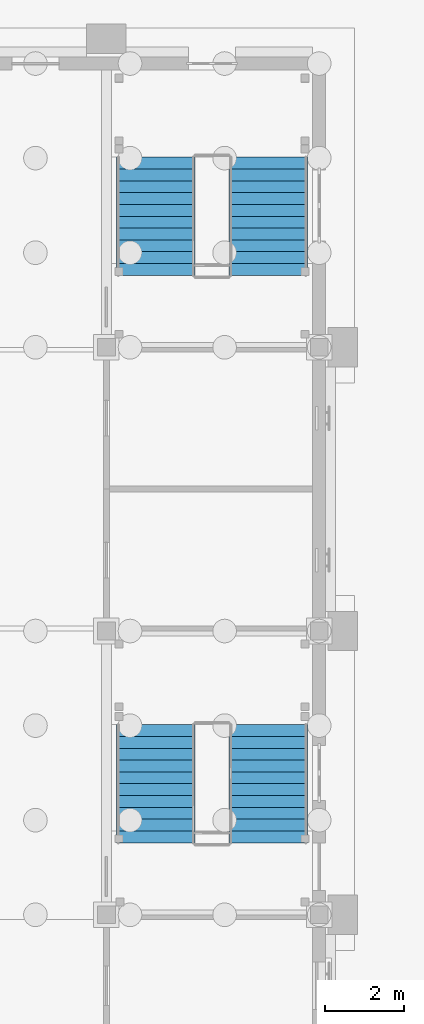
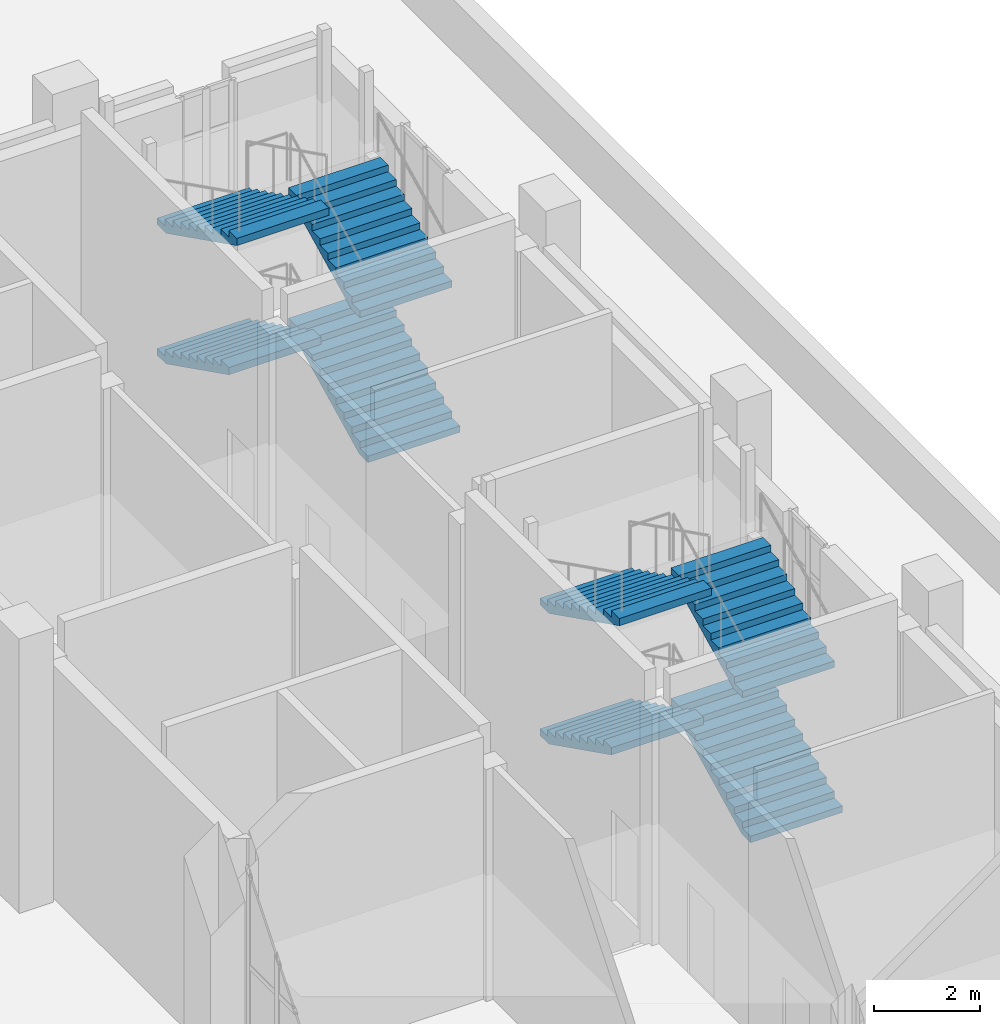
# One storey, part 65 of 84: 8 stair flights, 2 elements without a shape of their own.
"""IFC4 building model written with IfcOpenShell, lengths in metres."""

import ifcopenshell
import ifcopenshell.guid

model = None  # the IFC model being written
_history = None  # IfcOwnerHistory: only IFC2X3 demands one
_inside = {}  # id of a spatial element -> (the spatial element, [elements in it])
_under = {}  # id of a project, library or spatial element -> (it, [spatial elements below it])
_declared = {}  # id of a project -> (the project, [libraries it declares])
_typed = {}  # id of a type object -> (the type object, [elements of that type])
_made_of = {}  # id of a material, layer set ... -> (it, [elements and type objects made of it])


def new_model(schema):
    """Start an empty IFC model of exactly this schema.

    Asked for "IFC4X3", IfcOpenShell would pick the latest addendum, in which some entities
    have other attributes; the version numbers below select the first issue.
    IFC2X3 requires an IfcOwnerHistory on every rooted entity: one is made here for all.
    """
    global model, _history
    if schema == "IFC4X3":
        model = ifcopenshell.file(schema_version=(4, 3, 0, 0))
    else:
        model = ifcopenshell.file(schema=schema)
    _inside.clear()
    _under.clear()
    _declared.clear()
    _typed.clear()
    _made_of.clear()
    _history = None
    if model.schema == "IFC2X3":
        org = make("IfcOrganization", Name="unknown")
        user = make(
            "IfcPersonAndOrganization",
            ThePerson=make("IfcPerson", FamilyName="unknown"),
            TheOrganization=org,
        )
        app = make(
            "IfcApplication",
            ApplicationDeveloper=org,
            Version="unknown",
            ApplicationFullName="unknown",
            ApplicationIdentifier="unknown",
        )
        _history = make(
            "IfcOwnerHistory",
            OwningUser=user,
            OwningApplication=app,
            ChangeAction="ADDED",
            CreationDate=0,
        )
    return model


def make(cls, **values):
    """One entity of the class cls with the attributes given. An attribute that is None is left unset."""
    return model.create_entity(
        cls, **{name: value for name, value in values.items() if value is not None}
    )


def rooted(cls, **values):
    """An entity with a GlobalId (a new one), such as an element, a storey or a relation."""
    return make(cls, GlobalId=ifcopenshell.guid.new(), OwnerHistory=_history, **values)


def si_unit(unit_type, name, prefix=None):
    """IfcSIUnit, for example si_unit("LENGTHUNIT", "METRE", prefix="MILLI")."""
    return make("IfcSIUnit", UnitType=unit_type, Prefix=prefix, Name=name)


def assignment(units):
    """IfcUnitAssignment: the units of a project."""
    return None if units is None else make("IfcUnitAssignment", Units=units)


def point(xyz):
    """IfcCartesianPoint."""
    return None if xyz is None else make("IfcCartesianPoint", Coordinates=xyz)


def direction(xyz):
    """IfcDirection."""
    return None if xyz is None else make("IfcDirection", DirectionRatios=xyz)


def frame(location, z_axis=None, x_axis=None):
    """IfcAxis2Placement3D, a coordinate frame: its origin and axes. An axis left out is left unset."""
    return make(
        "IfcAxis2Placement3D",
        Location=point(location),
        Axis=direction(z_axis),
        RefDirection=direction(x_axis),
    )


def origin():
    """The frame at (0, 0, 0) with its axes left unset."""
    return frame((0.0, 0.0, 0.0))


def place(relative_to, where):
    """IfcLocalPlacement: puts the frame where relative to a parent placement (None: the world)."""
    return make(
        "IfcLocalPlacement", PlacementRelTo=relative_to, RelativePlacement=where
    )


def context(
    kind, dimensions, precision=None, world=None, true_north=None, identifier=None
):
    """IfcGeometricRepresentationContext, for example the 3D "Model" context."""
    return make(
        "IfcGeometricRepresentationContext",
        ContextIdentifier=identifier,
        ContextType=kind,
        CoordinateSpaceDimension=dimensions,
        Precision=precision,
        WorldCoordinateSystem=world,
        TrueNorth=true_north,
    )


def subcontext(parent, identifier, kind, view, scale=None):
    """IfcGeometricRepresentationSubContext, for example "Body" below "Model"."""
    return make(
        "IfcGeometricRepresentationSubContext",
        ContextIdentifier=identifier,
        ContextType=kind,
        ParentContext=parent,
        TargetScale=scale,
        TargetView=view,
    )


def project(units=None, contexts=None):
    """IfcProject with its units and contexts."""
    return rooted(
        "IfcProject",
        Name="project",
        RepresentationContexts=contexts,
        UnitsInContext=assignment(units),
    )


def spatial(cls, under=None, at=None, **own):
    """A site, building, storey or space (cls), placed at a placement, below another one or the project."""
    s = rooted(cls, ObjectPlacement=at, **own)
    if under is not None:
        _under.setdefault(under.id(), (under, []))[1].append(s)
    return s


def faces_of(points, faces, orient=None, outer=None):
    """IfcFace entities. A face is a list of loops; a loop is a list of indices into points, from 0.

    orient and outer hold one flag for each loop. By default every Orientation is true, the
    first loop of a face is its IfcFaceOuterBound and the others are IfcFaceBound.
    """
    made = []
    for i, loops in enumerate(faces):
        bounds = []
        for j, loop in enumerate(loops):
            is_outer = j == 0 if outer is None else outer[i][j]
            bounds.append(
                make(
                    "IfcFaceOuterBound" if is_outer else "IfcFaceBound",
                    Bound=make("IfcPolyLoop", Polygon=[points[k] for k in loop]),
                    Orientation=True if orient is None else orient[i][j],
                )
            )
        made.append(make("IfcFace", Bounds=bounds))
    return made


def faceted_brep(points, faces, orient=None, outer=None, voids=None):
    """IfcFacetedBrep: a solid bounded by flat faces; with voids (closed shells), ...WithVoids."""
    shared = [point(p) for p in points]
    hull = make("IfcClosedShell", CfsFaces=faces_of(shared, faces, orient, outer))
    if voids is None:
        return make("IfcFacetedBrep", Outer=hull)
    return make(
        "IfcFacetedBrepWithVoids",
        Outer=hull,
        Voids=[
            make(cls, CfsFaces=faces_of(shared, fs, o, b)) for cls, fs, o, b in voids
        ],
    )


def shape(context_of_items, identifier, shape_type, items):
    """IfcShapeRepresentation: the items that make up one representation, for example the "Body"."""
    return make(
        "IfcShapeRepresentation",
        ContextOfItems=context_of_items,
        RepresentationIdentifier=identifier,
        RepresentationType=shape_type,
        Items=items,
    )


def material(Name=None, Category=None):
    """IfcMaterial."""
    return make("IfcMaterial", Name=Name, Category=Category)


def made_of(thing, what):
    """Note that an element or type object is made of a material, layer set ...; save() writes the relation."""
    if what is not None:
        _made_of.setdefault(what.id(), (what, []))[1].append(thing)
    return thing


def type_object(cls, material=None, **own):
    """A type object (cls), such as IfcWallType, which elements share."""
    return made_of(rooted(cls, **own), material)


def element(
    cls,
    number,
    at=None,
    inside=None,
    cuts=None,
    type_object=None,
    material=None,
    context=None,
    identifier="Body",
    shape_type=None,
    held_by="IfcProductDefinitionShape",
    body=None,
    shapes=None,
    **own,
):
    """One element of the class cls, such as IfcWall. Its Tag is "e" and its number.

    at: its placement. inside: the storey or other place that contains it. cuts: it is an
    opening in that element (IfcRelVoidsElement). A single representation is given by context,
    identifier, shape_type and body (its items); several are given by shapes. held_by: the class
    of the entity that holds the representations. save() writes the other relations.
    """
    e = rooted(cls, Tag="e%d" % number, ObjectPlacement=at, **own)
    if body is not None:
        shapes = [shape(context, identifier, shape_type, body)]
    if shapes is not None:
        e.Representation = make(held_by, Representations=shapes)
    if inside is not None:
        _inside.setdefault(inside.id(), (inside, []))[1].append(e)
    if cuts is not None:
        rooted(
            "IfcRelVoidsElement", RelatingBuildingElement=cuts, RelatedOpeningElement=e
        )
    if type_object is not None:
        _typed.setdefault(type_object.id(), (type_object, []))[1].append(e)
    return made_of(e, material)


def aggregate(whole, parts):
    """IfcRelAggregates: a whole, such as a stair, and the parts it consists of."""
    return rooted("IfcRelAggregates", RelatingObject=whole, RelatedObjects=parts)


def save(model, path):
    """Write the relations noted so far, then the file.

    IfcRelAggregates (storeys below a building ...), IfcRelContainedInSpatialStructure (elements
    in a storey), IfcRelDefinesByType, IfcRelAssociatesMaterial and IfcRelDeclares: one each for
    every whole, place, type object, material and project.
    """
    for whole, parts in _under.values():
        aggregate(whole, parts)
    for where, things in _inside.values():
        rooted(
            "IfcRelContainedInSpatialStructure",
            RelatedElements=things,
            RelatingStructure=where,
        )
    for kind, things in _typed.values():
        rooted("IfcRelDefinesByType", RelatedObjects=things, RelatingType=kind)
    for what, things in _made_of.values():
        rooted("IfcRelAssociatesMaterial", RelatedObjects=things, RelatingMaterial=what)
    for by, libraries in _declared.values():
        rooted("IfcRelDeclares", RelatingContext=by, RelatedDefinitions=libraries)
    model.write(path)


model = new_model("IFC4")

# Units and contexts
model_context = context("Model", 3, precision=1e-05, world=origin(), true_north=direction((0.0, 1.0)))
body_context = subcontext(model_context, "Body", "Model", "MODEL_VIEW")
ifc_project = project(units=[si_unit("LENGTHUNIT", "METRE"), si_unit("AREAUNIT", "SQUARE_METRE"), si_unit("VOLUMEUNIT", "CUBIC_METRE"), si_unit("PLANEANGLEUNIT", "RADIAN"), si_unit("MASSUNIT", "GRAM", prefix="KILO")], contexts=[model_context])

# Site, building, storey
site_placement = place(None, origin())
site = spatial("IfcSite", under=ifc_project, at=site_placement, CompositionType="ELEMENT")
building_placement = place(site_placement, origin())
building = spatial("IfcBuilding", under=site, at=building_placement, Name="Mazhai Court Health Centre", CompositionType="ELEMENT")
storey_placement = place(building_placement, origin())
storey = spatial("IfcBuildingStorey", under=building, at=storey_placement, Name="L00", CompositionType="ELEMENT", Elevation=0.0)

# Stair, stair flights
ifc_material_1 = material(Name="Concrete M40", Category="concrete")
stair_type = type_object("IfcStairType", Name="RC STAIR 2000 42R", PredefinedType="DOUBLE_RETURN_STAIR", material=ifc_material_1)
stair_1_placement = place(storey_placement, origin())
stair_1 = element("IfcStair", 1, at=stair_1_placement, inside=storey, type_object=stair_type, Name="L00 Stair 9", PredefinedType="DOUBLE_RETURN_STAIR")
ifc_material_2 = material(Name="Concrete M40", Category="concrete")
stair_flight_type_1 = type_object("IfcStairFlightType", Name="RC STAIR FLIGHT 10R 2000", PredefinedType="STRAIGHT", material=ifc_material_2)
stair_flight_1_placement = place(storey_placement, frame((146.054931640625, 32.625, 1.64990234375), z_axis=(0.0, 0.0, 1.0), x_axis=(0.0, -1.0, 0.0)))
stair_flight_1 = element("IfcStairFlight", 2, at=stair_flight_1_placement, type_object=stair_flight_type_1, Name="ST9 flight 2", NumberOfRisers=10, NumberOfTreads=9, PredefinedType="STRAIGHT", RiserHeight=0.15, TreadLength=0.3, context=body_context, shape_type="Brep", body=[
    faceted_brep([(0.0, 1.0, 0.0), (0.0, 1.0, 0.14990234375), (0.300048828125, 1.0, 0.14990234375), (0.300048828125, 1.0, 0.300048828125), (0.60009765625, 1.0, 0.300048828125), (0.60009765625, 1.0, 0.449951171875), (0.89990234375, 1.0, 0.449951171875), (0.89990234375, 1.0, 0.60009765625), (1.199951171875, 1.0, 0.60009765625), (1.199951171875, 1.0, 0.75), (1.5, 1.0, 0.75), (1.5, 1.0, 0.89990234375), (1.800048828125, 1.0, 0.89990234375), (1.800048828125, 1.0, 1.050048828125), (2.10009765625, 1.0, 1.050048828125), (2.10009765625, 1.0, 1.199951171875), (2.39990234375, 1.0, 1.199951171875), (2.39990234375, 1.0, 1.35009765625), (2.699951171875, 1.0, 1.35009765625), (2.699951171875, 1.0, 1.182373046875), (0.335205078125, 1.0, 0.0), (0.335205078125, -1.0, 0.0), (2.699951171875, -1.0, 1.182373046875), (2.699951171875, -1.0, 1.35009765625), (2.39990234375, -1.0, 1.35009765625), (2.39990234375, -1.0, 1.199951171875), (2.10009765625, -1.0, 1.199951171875), (2.10009765625, -1.0, 1.050048828125), (1.800048828125, -1.0, 1.050048828125), (1.800048828125, -1.0, 0.89990234375), (1.5, -1.0, 0.89990234375), (1.5, -1.0, 0.75), (1.199951171875, -1.0, 0.75), (1.199951171875, -1.0, 0.60009765625), (0.89990234375, -1.0, 0.60009765625), (0.89990234375, -1.0, 0.449951171875), (0.60009765625, -1.0, 0.449951171875), (0.60009765625, -1.0, 0.300048828125), (0.300048828125, -1.0, 0.300048828125), (0.300048828125, -1.0, 0.14990234375), (0.0, -1.0, 0.14990234375), (0.0, -1.0, 0.0), (0.0, 0.0, 0.0), (0.0, 0.0, 0.14990234375), (0.300048828125, 0.0, 0.14990234375), (0.300048828125, 0.0, 0.300048828125), (0.60009765625, 0.0, 0.300048828125), (0.60009765625, 0.0, 0.449951171875), (0.89990234375, 0.0, 0.449951171875), (0.89990234375, 0.0, 0.60009765625), (1.199951171875, 0.0, 0.60009765625), (1.199951171875, 0.0, 0.75), (1.5, 0.0, 0.75), (1.5, 0.0, 0.89990234375), (1.800048828125, 0.0, 0.89990234375), (1.800048828125, 0.0, 1.050048828125), (2.10009765625, 0.0, 1.050048828125), (2.10009765625, 0.0, 1.199951171875), (2.39990234375, 0.0, 1.199951171875), (2.39990234375, 0.0, 1.35009765625), (2.699951171875, 0.0, 1.35009765625), (2.699951171875, 0.0, 1.182373046875), (0.335205078125, 0.0, 0.0)], [[[0, 1, 2, 3, 4, 5, 6, 7, 8, 9, 10, 11, 12, 13, 14, 15, 16, 17, 18, 19, 20]], [[21, 22, 23, 24, 25, 26, 27, 28, 29, 30, 31, 32, 33, 34, 35, 36, 37, 38, 39, 40, 41]], [[42, 43, 1, 0]], [[41, 40, 43, 42]], [[43, 44, 2, 1]], [[40, 39, 44, 43]], [[44, 45, 3, 2]], [[39, 38, 45, 44]], [[45, 46, 4, 3]], [[38, 37, 46, 45]], [[46, 47, 5, 4]], [[37, 36, 47, 46]], [[47, 48, 6, 5]], [[36, 35, 48, 47]], [[48, 49, 7, 6]], [[35, 34, 49, 48]], [[49, 50, 8, 7]], [[34, 33, 50, 49]], [[50, 51, 9, 8]], [[33, 32, 51, 50]], [[51, 52, 10, 9]], [[32, 31, 52, 51]], [[52, 53, 11, 10]], [[31, 30, 53, 52]], [[53, 54, 12, 11]], [[30, 29, 54, 53]], [[54, 55, 13, 12]], [[29, 28, 55, 54]], [[55, 56, 14, 13]], [[28, 27, 56, 55]], [[56, 57, 15, 14]], [[27, 26, 57, 56]], [[57, 58, 16, 15]], [[26, 25, 58, 57]], [[58, 59, 17, 16]], [[25, 24, 59, 58]], [[59, 60, 18, 17]], [[24, 23, 60, 59]], [[60, 61, 19, 18]], [[23, 22, 61, 60]], [[61, 62, 20, 19]], [[22, 21, 62, 61]], [[62, 42, 0, 20]], [[21, 41, 42, 62]]]),
])
stair_flight_2_placement = place(storey_placement, frame((148.905029296875, 29.925048828125, 3.14990234375), z_axis=(0.0, 0.0, 1.0), x_axis=(0.0, 1.0, 0.0)))
stair_flight_2 = element("IfcStairFlight", 3, at=stair_flight_2_placement, type_object=stair_flight_type_1, Name="ST9 flight 3", NumberOfRisers=10, NumberOfTreads=9, PredefinedType="STRAIGHT", RiserHeight=0.15, TreadLength=0.3, context=body_context, shape_type="Brep", body=[
    faceted_brep([(0.0, 1.0, 0.0), (0.0, 1.0, 0.14990234375), (0.300048828125, 1.0, 0.14990234375), (0.300048828125, 1.0, 0.300048828125), (0.60009765625, 1.0, 0.300048828125), (0.60009765625, 1.0, 0.449951171875), (0.89990234375, 1.0, 0.449951171875), (0.89990234375, 1.0, 0.60009765625), (1.199951171875, 1.0, 0.60009765625), (1.199951171875, 1.0, 0.75), (1.5, 1.0, 0.75), (1.5, 1.0, 0.89990234375), (1.800048828125, 1.0, 0.89990234375), (1.800048828125, 1.0, 1.050048828125), (2.10009765625, 1.0, 1.050048828125), (2.10009765625, 1.0, 1.199951171875), (2.39990234375, 1.0, 1.199951171875), (2.39990234375, 1.0, 1.35009765625), (2.699951171875, 1.0, 1.35009765625), (2.699951171875, 1.0, 1.182373046875), (0.335205078125, 1.0, 0.0), (0.335205078125, -1.0, 0.0), (2.699951171875, -1.0, 1.182373046875), (2.699951171875, -1.0, 1.35009765625), (2.39990234375, -1.0, 1.35009765625), (2.39990234375, -1.0, 1.199951171875), (2.10009765625, -1.0, 1.199951171875), (2.10009765625, -1.0, 1.050048828125), (1.800048828125, -1.0, 1.050048828125), (1.800048828125, -1.0, 0.89990234375), (1.5, -1.0, 0.89990234375), (1.5, -1.0, 0.75), (1.199951171875, -1.0, 0.75), (1.199951171875, -1.0, 0.60009765625), (0.89990234375, -1.0, 0.60009765625), (0.89990234375, -1.0, 0.449951171875), (0.60009765625, -1.0, 0.449951171875), (0.60009765625, -1.0, 0.300048828125), (0.300048828125, -1.0, 0.300048828125), (0.300048828125, -1.0, 0.14990234375), (0.0, -1.0, 0.14990234375), (0.0, -1.0, 0.0), (0.0, 0.0, 0.0), (0.0, 0.0, 0.14990234375), (0.300048828125, 0.0, 0.14990234375), (0.300048828125, 0.0, 0.300048828125), (0.60009765625, 0.0, 0.300048828125), (0.60009765625, 0.0, 0.449951171875), (0.89990234375, 0.0, 0.449951171875), (0.89990234375, 0.0, 0.60009765625), (1.199951171875, 0.0, 0.60009765625), (1.199951171875, 0.0, 0.75), (1.5, 0.0, 0.75), (1.5, 0.0, 0.89990234375), (1.800048828125, 0.0, 0.89990234375), (1.800048828125, 0.0, 1.050048828125), (2.10009765625, 0.0, 1.050048828125), (2.10009765625, 0.0, 1.199951171875), (2.39990234375, 0.0, 1.199951171875), (2.39990234375, 0.0, 1.35009765625), (2.699951171875, 0.0, 1.35009765625), (2.699951171875, 0.0, 1.182373046875), (0.335205078125, 0.0, 0.0)], [[[0, 1, 2, 3, 4, 5, 6, 7, 8, 9, 10, 11, 12, 13, 14, 15, 16, 17, 18, 19, 20]], [[21, 22, 23, 24, 25, 26, 27, 28, 29, 30, 31, 32, 33, 34, 35, 36, 37, 38, 39, 40, 41]], [[42, 43, 1, 0]], [[41, 40, 43, 42]], [[43, 44, 2, 1]], [[40, 39, 44, 43]], [[44, 45, 3, 2]], [[39, 38, 45, 44]], [[45, 46, 4, 3]], [[38, 37, 46, 45]], [[46, 47, 5, 4]], [[37, 36, 47, 46]], [[47, 48, 6, 5]], [[36, 35, 48, 47]], [[48, 49, 7, 6]], [[35, 34, 49, 48]], [[49, 50, 8, 7]], [[34, 33, 50, 49]], [[50, 51, 9, 8]], [[33, 32, 51, 50]], [[51, 52, 10, 9]], [[32, 31, 52, 51]], [[52, 53, 11, 10]], [[31, 30, 53, 52]], [[53, 54, 12, 11]], [[30, 29, 54, 53]], [[54, 55, 13, 12]], [[29, 28, 55, 54]], [[55, 56, 14, 13]], [[28, 27, 56, 55]], [[56, 57, 15, 14]], [[27, 26, 57, 56]], [[57, 58, 16, 15]], [[26, 25, 58, 57]], [[58, 59, 17, 16]], [[25, 24, 59, 58]], [[59, 60, 18, 17]], [[24, 23, 60, 59]], [[60, 61, 19, 18]], [[23, 22, 61, 60]], [[61, 62, 20, 19]], [[22, 21, 62, 61]], [[62, 42, 0, 20]], [[21, 41, 42, 62]]]),
])

stair_2_placement = place(storey_placement, origin())
stair_2 = element("IfcStair", 4, at=stair_2_placement, inside=storey, type_object=stair_type, Name="L00 Stair 10", PredefinedType="DOUBLE_RETURN_STAIR")
stair_flight_3_placement = place(storey_placement, frame((146.054931640625, 47.02490234375, 1.64990234375), z_axis=(0.0, 0.0, 1.0), x_axis=(0.0, -1.0, 0.0)))
stair_flight_3 = element("IfcStairFlight", 5, at=stair_flight_3_placement, type_object=stair_flight_type_1, Name="ST10 flight 2", NumberOfRisers=10, NumberOfTreads=9, PredefinedType="STRAIGHT", RiserHeight=0.15, TreadLength=0.3, context=body_context, shape_type="Brep", body=[
    faceted_brep([(0.0, 1.0, 0.0), (0.0, 1.0, 0.14990234375), (0.300048828125, 1.0, 0.14990234375), (0.300048828125, 1.0, 0.300048828125), (0.60009765625, 1.0, 0.300048828125), (0.60009765625, 1.0, 0.449951171875), (0.89990234375, 1.0, 0.449951171875), (0.89990234375, 1.0, 0.60009765625), (1.199951171875, 1.0, 0.60009765625), (1.199951171875, 1.0, 0.75), (1.5, 1.0, 0.75), (1.5, 1.0, 0.89990234375), (1.800048828125, 1.0, 0.89990234375), (1.800048828125, 1.0, 1.050048828125), (2.10009765625, 1.0, 1.050048828125), (2.10009765625, 1.0, 1.199951171875), (2.39990234375, 1.0, 1.199951171875), (2.39990234375, 1.0, 1.35009765625), (2.699951171875, 1.0, 1.35009765625), (2.699951171875, 1.0, 1.182373046875), (0.335205078125, 1.0, 0.0), (0.335205078125, -1.0, 0.0), (2.699951171875, -1.0, 1.182373046875), (2.699951171875, -1.0, 1.35009765625), (2.39990234375, -1.0, 1.35009765625), (2.39990234375, -1.0, 1.199951171875), (2.10009765625, -1.0, 1.199951171875), (2.10009765625, -1.0, 1.050048828125), (1.800048828125, -1.0, 1.050048828125), (1.800048828125, -1.0, 0.89990234375), (1.5, -1.0, 0.89990234375), (1.5, -1.0, 0.75), (1.199951171875, -1.0, 0.75), (1.199951171875, -1.0, 0.60009765625), (0.89990234375, -1.0, 0.60009765625), (0.89990234375, -1.0, 0.449951171875), (0.60009765625, -1.0, 0.449951171875), (0.60009765625, -1.0, 0.300048828125), (0.300048828125, -1.0, 0.300048828125), (0.300048828125, -1.0, 0.14990234375), (0.0, -1.0, 0.14990234375), (0.0, -1.0, 0.0), (0.0, 0.0, 0.0), (0.0, 0.0, 0.14990234375), (0.300048828125, 0.0, 0.14990234375), (0.300048828125, 0.0, 0.300048828125), (0.60009765625, 0.0, 0.300048828125), (0.60009765625, 0.0, 0.449951171875), (0.89990234375, 0.0, 0.449951171875), (0.89990234375, 0.0, 0.60009765625), (1.199951171875, 0.0, 0.60009765625), (1.199951171875, 0.0, 0.75), (1.5, 0.0, 0.75), (1.5, 0.0, 0.89990234375), (1.800048828125, 0.0, 0.89990234375), (1.800048828125, 0.0, 1.050048828125), (2.10009765625, 0.0, 1.050048828125), (2.10009765625, 0.0, 1.199951171875), (2.39990234375, 0.0, 1.199951171875), (2.39990234375, 0.0, 1.35009765625), (2.699951171875, 0.0, 1.35009765625), (2.699951171875, 0.0, 1.182373046875), (0.335205078125, 0.0, 0.0)], [[[0, 1, 2, 3, 4, 5, 6, 7, 8, 9, 10, 11, 12, 13, 14, 15, 16, 17, 18, 19, 20]], [[21, 22, 23, 24, 25, 26, 27, 28, 29, 30, 31, 32, 33, 34, 35, 36, 37, 38, 39, 40, 41]], [[42, 43, 1, 0]], [[41, 40, 43, 42]], [[43, 44, 2, 1]], [[40, 39, 44, 43]], [[44, 45, 3, 2]], [[39, 38, 45, 44]], [[45, 46, 4, 3]], [[38, 37, 46, 45]], [[46, 47, 5, 4]], [[37, 36, 47, 46]], [[47, 48, 6, 5]], [[36, 35, 48, 47]], [[48, 49, 7, 6]], [[35, 34, 49, 48]], [[49, 50, 8, 7]], [[34, 33, 50, 49]], [[50, 51, 9, 8]], [[33, 32, 51, 50]], [[51, 52, 10, 9]], [[32, 31, 52, 51]], [[52, 53, 11, 10]], [[31, 30, 53, 52]], [[53, 54, 12, 11]], [[30, 29, 54, 53]], [[54, 55, 13, 12]], [[29, 28, 55, 54]], [[55, 56, 14, 13]], [[28, 27, 56, 55]], [[56, 57, 15, 14]], [[27, 26, 57, 56]], [[57, 58, 16, 15]], [[26, 25, 58, 57]], [[58, 59, 17, 16]], [[25, 24, 59, 58]], [[59, 60, 18, 17]], [[24, 23, 60, 59]], [[60, 61, 19, 18]], [[23, 22, 61, 60]], [[61, 62, 20, 19]], [[22, 21, 62, 61]], [[62, 42, 0, 20]], [[21, 41, 42, 62]]]),
])
stair_flight_4_placement = place(storey_placement, frame((148.905029296875, 44.324951171875, 3.14990234375), z_axis=(0.0, 0.0, 1.0), x_axis=(0.0, 1.0, 0.0)))
stair_flight_4 = element("IfcStairFlight", 6, at=stair_flight_4_placement, type_object=stair_flight_type_1, Name="ST10 flight 3", NumberOfRisers=10, NumberOfTreads=9, PredefinedType="STRAIGHT", RiserHeight=0.15, TreadLength=0.3, context=body_context, shape_type="Brep", body=[
    faceted_brep([(0.0, 1.0, 0.0), (0.0, 1.0, 0.14990234375), (0.300048828125, 1.0, 0.14990234375), (0.300048828125, 1.0, 0.300048828125), (0.60009765625, 1.0, 0.300048828125), (0.60009765625, 1.0, 0.449951171875), (0.89990234375, 1.0, 0.449951171875), (0.89990234375, 1.0, 0.60009765625), (1.199951171875, 1.0, 0.60009765625), (1.199951171875, 1.0, 0.75), (1.5, 1.0, 0.75), (1.5, 1.0, 0.89990234375), (1.800048828125, 1.0, 0.89990234375), (1.800048828125, 1.0, 1.050048828125), (2.10009765625, 1.0, 1.050048828125), (2.10009765625, 1.0, 1.199951171875), (2.39990234375, 1.0, 1.199951171875), (2.39990234375, 1.0, 1.35009765625), (2.699951171875, 1.0, 1.35009765625), (2.699951171875, 1.0, 1.182373046875), (0.335205078125, 1.0, 0.0), (0.335205078125, -1.0, 0.0), (2.699951171875, -1.0, 1.182373046875), (2.699951171875, -1.0, 1.35009765625), (2.39990234375, -1.0, 1.35009765625), (2.39990234375, -1.0, 1.199951171875), (2.10009765625, -1.0, 1.199951171875), (2.10009765625, -1.0, 1.050048828125), (1.800048828125, -1.0, 1.050048828125), (1.800048828125, -1.0, 0.89990234375), (1.5, -1.0, 0.89990234375), (1.5, -1.0, 0.75), (1.199951171875, -1.0, 0.75), (1.199951171875, -1.0, 0.60009765625), (0.89990234375, -1.0, 0.60009765625), (0.89990234375, -1.0, 0.449951171875), (0.60009765625, -1.0, 0.449951171875), (0.60009765625, -1.0, 0.300048828125), (0.300048828125, -1.0, 0.300048828125), (0.300048828125, -1.0, 0.14990234375), (0.0, -1.0, 0.14990234375), (0.0, -1.0, 0.0), (0.0, 0.0, 0.0), (0.0, 0.0, 0.14990234375), (0.300048828125, 0.0, 0.14990234375), (0.300048828125, 0.0, 0.300048828125), (0.60009765625, 0.0, 0.300048828125), (0.60009765625, 0.0, 0.449951171875), (0.89990234375, 0.0, 0.449951171875), (0.89990234375, 0.0, 0.60009765625), (1.199951171875, 0.0, 0.60009765625), (1.199951171875, 0.0, 0.75), (1.5, 0.0, 0.75), (1.5, 0.0, 0.89990234375), (1.800048828125, 0.0, 0.89990234375), (1.800048828125, 0.0, 1.050048828125), (2.10009765625, 0.0, 1.050048828125), (2.10009765625, 0.0, 1.199951171875), (2.39990234375, 0.0, 1.199951171875), (2.39990234375, 0.0, 1.35009765625), (2.699951171875, 0.0, 1.35009765625), (2.699951171875, 0.0, 1.182373046875), (0.335205078125, 0.0, 0.0)], [[[0, 1, 2, 3, 4, 5, 6, 7, 8, 9, 10, 11, 12, 13, 14, 15, 16, 17, 18, 19, 20]], [[21, 22, 23, 24, 25, 26, 27, 28, 29, 30, 31, 32, 33, 34, 35, 36, 37, 38, 39, 40, 41]], [[42, 43, 1, 0]], [[41, 40, 43, 42]], [[43, 44, 2, 1]], [[40, 39, 44, 43]], [[44, 45, 3, 2]], [[39, 38, 45, 44]], [[45, 46, 4, 3]], [[38, 37, 46, 45]], [[46, 47, 5, 4]], [[37, 36, 47, 46]], [[47, 48, 6, 5]], [[36, 35, 48, 47]], [[48, 49, 7, 6]], [[35, 34, 49, 48]], [[49, 50, 8, 7]], [[34, 33, 50, 49]], [[50, 51, 9, 8]], [[33, 32, 51, 50]], [[51, 52, 10, 9]], [[32, 31, 52, 51]], [[52, 53, 11, 10]], [[31, 30, 53, 52]], [[53, 54, 12, 11]], [[30, 29, 54, 53]], [[54, 55, 13, 12]], [[29, 28, 55, 54]], [[55, 56, 14, 13]], [[28, 27, 56, 55]], [[56, 57, 15, 14]], [[27, 26, 57, 56]], [[57, 58, 16, 15]], [[26, 25, 58, 57]], [[58, 59, 17, 16]], [[25, 24, 59, 58]], [[59, 60, 18, 17]], [[24, 23, 60, 59]], [[60, 61, 19, 18]], [[23, 22, 61, 60]], [[61, 62, 20, 19]], [[22, 21, 62, 61]], [[62, 42, 0, 20]], [[21, 41, 42, 62]]]),
])

# Stair flight
ifc_material_3 = material(Name="Concrete M40", Category="concrete")
stair_flight_type_2 = type_object("IfcStairFlightType", Name="RC STAIR FLIGHT 11R 2000", PredefinedType="STRAIGHT", material=ifc_material_3)
stair_flight_5_placement = place(storey_placement, frame((148.905029296875, 29.625, 0.0), z_axis=(0.0, 0.0, 1.0), x_axis=(0.0, 1.0, 0.0)))
stair_flight_5 = element("IfcStairFlight", 7, at=stair_flight_5_placement, type_object=stair_flight_type_2, Name="ST9 flight 1", NumberOfRisers=11, NumberOfTreads=10, PredefinedType="STRAIGHT", RiserHeight=0.15, TreadLength=0.3, context=body_context, shape_type="Brep", body=[
    faceted_brep([(0.0, 1.0, 0.0), (0.0, 1.0, 0.14990234375), (0.300048828125, 1.0, 0.14990234375), (0.300048828125, 1.0, 0.300048828125), (0.60009765625, 1.0, 0.300048828125), (0.60009765625, 1.0, 0.449951171875), (0.89990234375, 1.0, 0.449951171875), (0.89990234375, 1.0, 0.60009765625), (1.199951171875, 1.0, 0.60009765625), (1.199951171875, 1.0, 0.75), (1.5, 1.0, 0.75), (1.5, 1.0, 0.89990234375), (1.800048828125, 1.0, 0.89990234375), (1.800048828125, 1.0, 1.050048828125), (2.10009765625, 1.0, 1.050048828125), (2.10009765625, 1.0, 1.199951171875), (2.39990234375, 1.0, 1.199951171875), (2.39990234375, 1.0, 1.35009765625), (2.699951171875, 1.0, 1.35009765625), (2.699951171875, 1.0, 1.5), (3.0, 1.0, 1.5), (3.0, 1.0, 1.33251953125), (0.335205078125, 1.0, 0.0), (0.335205078125, -1.0, 0.0), (3.0, -1.0, 1.33251953125), (3.0, -1.0, 1.5), (2.699951171875, -1.0, 1.5), (2.699951171875, -1.0, 1.35009765625), (2.39990234375, -1.0, 1.35009765625), (2.39990234375, -1.0, 1.199951171875), (2.10009765625, -1.0, 1.199951171875), (2.10009765625, -1.0, 1.050048828125), (1.800048828125, -1.0, 1.050048828125), (1.800048828125, -1.0, 0.89990234375), (1.5, -1.0, 0.89990234375), (1.5, -1.0, 0.75), (1.199951171875, -1.0, 0.75), (1.199951171875, -1.0, 0.60009765625), (0.89990234375, -1.0, 0.60009765625), (0.89990234375, -1.0, 0.449951171875), (0.60009765625, -1.0, 0.449951171875), (0.60009765625, -1.0, 0.300048828125), (0.300048828125, -1.0, 0.300048828125), (0.300048828125, -1.0, 0.14990234375), (0.0, -1.0, 0.14990234375), (0.0, -1.0, 0.0), (0.0, 0.0, 0.0), (0.0, 0.0, 0.14990234375), (0.300048828125, 0.0, 0.14990234375), (0.300048828125, 0.0, 0.300048828125), (0.60009765625, 0.0, 0.300048828125), (0.60009765625, 0.0, 0.449951171875), (0.89990234375, 0.0, 0.449951171875), (0.89990234375, 0.0, 0.60009765625), (1.199951171875, 0.0, 0.60009765625), (1.199951171875, 0.0, 0.75), (1.5, 0.0, 0.75), (1.5, 0.0, 0.89990234375), (1.800048828125, 0.0, 0.89990234375), (1.800048828125, 0.0, 1.050048828125), (2.10009765625, 0.0, 1.050048828125), (2.10009765625, 0.0, 1.199951171875), (2.39990234375, 0.0, 1.199951171875), (2.39990234375, 0.0, 1.35009765625), (2.699951171875, 0.0, 1.35009765625), (2.699951171875, 0.0, 1.5), (3.0, 0.0, 1.5), (3.0, 0.0, 1.33251953125), (0.335205078125, 0.0, 0.0)], [[[0, 1, 2, 3, 4, 5, 6, 7, 8, 9, 10, 11, 12, 13, 14, 15, 16, 17, 18, 19, 20, 21, 22]], [[23, 24, 25, 26, 27, 28, 29, 30, 31, 32, 33, 34, 35, 36, 37, 38, 39, 40, 41, 42, 43, 44, 45]], [[46, 47, 1, 0]], [[45, 44, 47, 46]], [[47, 48, 2, 1]], [[44, 43, 48, 47]], [[48, 49, 3, 2]], [[43, 42, 49, 48]], [[49, 50, 4, 3]], [[42, 41, 50, 49]], [[50, 51, 5, 4]], [[41, 40, 51, 50]], [[51, 52, 6, 5]], [[40, 39, 52, 51]], [[52, 53, 7, 6]], [[39, 38, 53, 52]], [[53, 54, 8, 7]], [[38, 37, 54, 53]], [[54, 55, 9, 8]], [[37, 36, 55, 54]], [[55, 56, 10, 9]], [[36, 35, 56, 55]], [[56, 57, 11, 10]], [[35, 34, 57, 56]], [[57, 58, 12, 11]], [[34, 33, 58, 57]], [[58, 59, 13, 12]], [[33, 32, 59, 58]], [[59, 60, 14, 13]], [[32, 31, 60, 59]], [[60, 61, 15, 14]], [[31, 30, 61, 60]], [[61, 62, 16, 15]], [[30, 29, 62, 61]], [[62, 63, 17, 16]], [[29, 28, 63, 62]], [[63, 64, 18, 17]], [[28, 27, 64, 63]], [[64, 65, 19, 18]], [[27, 26, 65, 64]], [[65, 66, 20, 19]], [[26, 25, 66, 65]], [[66, 67, 21, 20]], [[25, 24, 67, 66]], [[67, 68, 22, 21]], [[24, 23, 68, 67]], [[68, 46, 0, 22]], [[23, 45, 46, 68]]]),
])

stair_flight_6_placement = place(storey_placement, frame((146.054931640625, 32.625, 4.64990234375), z_axis=(0.0, 0.0, 1.0), x_axis=(0.0, -1.0, 0.0)))
stair_flight_6 = element("IfcStairFlight", 8, at=stair_flight_6_placement, type_object=stair_flight_type_2, Name="ST9 flight 4", NumberOfRisers=11, NumberOfTreads=10, PredefinedType="STRAIGHT", RiserHeight=0.15, TreadLength=0.3, context=body_context, shape_type="Brep", body=[
    faceted_brep([(0.0, 1.0, 0.0), (0.0, 1.0, 0.14990234375), (0.300048828125, 1.0, 0.14990234375), (0.300048828125, 1.0, 0.300048828125), (0.60009765625, 1.0, 0.300048828125), (0.60009765625, 1.0, 0.449951171875), (0.89990234375, 1.0, 0.449951171875), (0.89990234375, 1.0, 0.60009765625), (1.199951171875, 1.0, 0.60009765625), (1.199951171875, 1.0, 0.75), (1.5, 1.0, 0.75), (1.5, 1.0, 0.89990234375), (1.800048828125, 1.0, 0.89990234375), (1.800048828125, 1.0, 1.050048828125), (2.10009765625, 1.0, 1.050048828125), (2.10009765625, 1.0, 1.199951171875), (2.39990234375, 1.0, 1.199951171875), (2.39990234375, 1.0, 1.35009765625), (2.699951171875, 1.0, 1.35009765625), (2.699951171875, 1.0, 1.5), (3.0, 1.0, 1.5), (3.0, 1.0, 1.33251953125), (0.335205078125, 1.0, 0.0), (0.335205078125, -1.0, 0.0), (3.0, -1.0, 1.33251953125), (3.0, -1.0, 1.5), (2.699951171875, -1.0, 1.5), (2.699951171875, -1.0, 1.35009765625), (2.39990234375, -1.0, 1.35009765625), (2.39990234375, -1.0, 1.199951171875), (2.10009765625, -1.0, 1.199951171875), (2.10009765625, -1.0, 1.050048828125), (1.800048828125, -1.0, 1.050048828125), (1.800048828125, -1.0, 0.89990234375), (1.5, -1.0, 0.89990234375), (1.5, -1.0, 0.75), (1.199951171875, -1.0, 0.75), (1.199951171875, -1.0, 0.60009765625), (0.89990234375, -1.0, 0.60009765625), (0.89990234375, -1.0, 0.449951171875), (0.60009765625, -1.0, 0.449951171875), (0.60009765625, -1.0, 0.300048828125), (0.300048828125, -1.0, 0.300048828125), (0.300048828125, -1.0, 0.14990234375), (0.0, -1.0, 0.14990234375), (0.0, -1.0, 0.0), (0.0, 0.0, 0.0), (0.0, 0.0, 0.14990234375), (0.300048828125, 0.0, 0.14990234375), (0.300048828125, 0.0, 0.300048828125), (0.60009765625, 0.0, 0.300048828125), (0.60009765625, 0.0, 0.449951171875), (0.89990234375, 0.0, 0.449951171875), (0.89990234375, 0.0, 0.60009765625), (1.199951171875, 0.0, 0.60009765625), (1.199951171875, 0.0, 0.75), (1.5, 0.0, 0.75), (1.5, 0.0, 0.89990234375), (1.800048828125, 0.0, 0.89990234375), (1.800048828125, 0.0, 1.050048828125), (2.10009765625, 0.0, 1.050048828125), (2.10009765625, 0.0, 1.199951171875), (2.39990234375, 0.0, 1.199951171875), (2.39990234375, 0.0, 1.35009765625), (2.699951171875, 0.0, 1.35009765625), (2.699951171875, 0.0, 1.5), (3.0, 0.0, 1.5), (3.0, 0.0, 1.33251953125), (0.335205078125, 0.0, 0.0)], [[[0, 1, 2, 3, 4, 5, 6, 7, 8, 9, 10, 11, 12, 13, 14, 15, 16, 17, 18, 19, 20, 21, 22]], [[23, 24, 25, 26, 27, 28, 29, 30, 31, 32, 33, 34, 35, 36, 37, 38, 39, 40, 41, 42, 43, 44, 45]], [[46, 47, 1, 0]], [[45, 44, 47, 46]], [[47, 48, 2, 1]], [[44, 43, 48, 47]], [[48, 49, 3, 2]], [[43, 42, 49, 48]], [[49, 50, 4, 3]], [[42, 41, 50, 49]], [[50, 51, 5, 4]], [[41, 40, 51, 50]], [[51, 52, 6, 5]], [[40, 39, 52, 51]], [[52, 53, 7, 6]], [[39, 38, 53, 52]], [[53, 54, 8, 7]], [[38, 37, 54, 53]], [[54, 55, 9, 8]], [[37, 36, 55, 54]], [[55, 56, 10, 9]], [[36, 35, 56, 55]], [[56, 57, 11, 10]], [[35, 34, 57, 56]], [[57, 58, 12, 11]], [[34, 33, 58, 57]], [[58, 59, 13, 12]], [[33, 32, 59, 58]], [[59, 60, 14, 13]], [[32, 31, 60, 59]], [[60, 61, 15, 14]], [[31, 30, 61, 60]], [[61, 62, 16, 15]], [[30, 29, 62, 61]], [[62, 63, 17, 16]], [[29, 28, 63, 62]], [[63, 64, 18, 17]], [[28, 27, 64, 63]], [[64, 65, 19, 18]], [[27, 26, 65, 64]], [[65, 66, 20, 19]], [[26, 25, 66, 65]], [[66, 67, 21, 20]], [[25, 24, 67, 66]], [[67, 68, 22, 21]], [[24, 23, 68, 67]], [[68, 46, 0, 22]], [[23, 45, 46, 68]]]),
])

aggregate(stair_1, [stair_flight_5, stair_flight_1, stair_flight_2, stair_flight_6])

stair_flight_7_placement = place(storey_placement, frame((148.905029296875, 44.02490234375, 0.0), z_axis=(0.0, 0.0, 1.0), x_axis=(0.0, 1.0, 0.0)))
stair_flight_7 = element("IfcStairFlight", 9, at=stair_flight_7_placement, type_object=stair_flight_type_2, Name="ST10 flight 1", NumberOfRisers=11, NumberOfTreads=10, PredefinedType="STRAIGHT", RiserHeight=0.15, TreadLength=0.3, context=body_context, shape_type="Brep", body=[
    faceted_brep([(0.0, 1.0, 0.0), (0.0, 1.0, 0.14990234375), (0.300048828125, 1.0, 0.14990234375), (0.300048828125, 1.0, 0.300048828125), (0.60009765625, 1.0, 0.300048828125), (0.60009765625, 1.0, 0.449951171875), (0.89990234375, 1.0, 0.449951171875), (0.89990234375, 1.0, 0.60009765625), (1.199951171875, 1.0, 0.60009765625), (1.199951171875, 1.0, 0.75), (1.5, 1.0, 0.75), (1.5, 1.0, 0.89990234375), (1.800048828125, 1.0, 0.89990234375), (1.800048828125, 1.0, 1.050048828125), (2.10009765625, 1.0, 1.050048828125), (2.10009765625, 1.0, 1.199951171875), (2.39990234375, 1.0, 1.199951171875), (2.39990234375, 1.0, 1.35009765625), (2.699951171875, 1.0, 1.35009765625), (2.699951171875, 1.0, 1.5), (3.0, 1.0, 1.5), (3.0, 1.0, 1.33251953125), (0.335205078125, 1.0, 0.0), (0.335205078125, -1.0, 0.0), (3.0, -1.0, 1.33251953125), (3.0, -1.0, 1.5), (2.699951171875, -1.0, 1.5), (2.699951171875, -1.0, 1.35009765625), (2.39990234375, -1.0, 1.35009765625), (2.39990234375, -1.0, 1.199951171875), (2.10009765625, -1.0, 1.199951171875), (2.10009765625, -1.0, 1.050048828125), (1.800048828125, -1.0, 1.050048828125), (1.800048828125, -1.0, 0.89990234375), (1.5, -1.0, 0.89990234375), (1.5, -1.0, 0.75), (1.199951171875, -1.0, 0.75), (1.199951171875, -1.0, 0.60009765625), (0.89990234375, -1.0, 0.60009765625), (0.89990234375, -1.0, 0.449951171875), (0.60009765625, -1.0, 0.449951171875), (0.60009765625, -1.0, 0.300048828125), (0.300048828125, -1.0, 0.300048828125), (0.300048828125, -1.0, 0.14990234375), (0.0, -1.0, 0.14990234375), (0.0, -1.0, 0.0), (0.0, 0.0, 0.0), (0.0, 0.0, 0.14990234375), (0.300048828125, 0.0, 0.14990234375), (0.300048828125, 0.0, 0.300048828125), (0.60009765625, 0.0, 0.300048828125), (0.60009765625, 0.0, 0.449951171875), (0.89990234375, 0.0, 0.449951171875), (0.89990234375, 0.0, 0.60009765625), (1.199951171875, 0.0, 0.60009765625), (1.199951171875, 0.0, 0.75), (1.5, 0.0, 0.75), (1.5, 0.0, 0.89990234375), (1.800048828125, 0.0, 0.89990234375), (1.800048828125, 0.0, 1.050048828125), (2.10009765625, 0.0, 1.050048828125), (2.10009765625, 0.0, 1.199951171875), (2.39990234375, 0.0, 1.199951171875), (2.39990234375, 0.0, 1.35009765625), (2.699951171875, 0.0, 1.35009765625), (2.699951171875, 0.0, 1.5), (3.0, 0.0, 1.5), (3.0, 0.0, 1.33251953125), (0.335205078125, 0.0, 0.0)], [[[0, 1, 2, 3, 4, 5, 6, 7, 8, 9, 10, 11, 12, 13, 14, 15, 16, 17, 18, 19, 20, 21, 22]], [[23, 24, 25, 26, 27, 28, 29, 30, 31, 32, 33, 34, 35, 36, 37, 38, 39, 40, 41, 42, 43, 44, 45]], [[46, 47, 1, 0]], [[45, 44, 47, 46]], [[47, 48, 2, 1]], [[44, 43, 48, 47]], [[48, 49, 3, 2]], [[43, 42, 49, 48]], [[49, 50, 4, 3]], [[42, 41, 50, 49]], [[50, 51, 5, 4]], [[41, 40, 51, 50]], [[51, 52, 6, 5]], [[40, 39, 52, 51]], [[52, 53, 7, 6]], [[39, 38, 53, 52]], [[53, 54, 8, 7]], [[38, 37, 54, 53]], [[54, 55, 9, 8]], [[37, 36, 55, 54]], [[55, 56, 10, 9]], [[36, 35, 56, 55]], [[56, 57, 11, 10]], [[35, 34, 57, 56]], [[57, 58, 12, 11]], [[34, 33, 58, 57]], [[58, 59, 13, 12]], [[33, 32, 59, 58]], [[59, 60, 14, 13]], [[32, 31, 60, 59]], [[60, 61, 15, 14]], [[31, 30, 61, 60]], [[61, 62, 16, 15]], [[30, 29, 62, 61]], [[62, 63, 17, 16]], [[29, 28, 63, 62]], [[63, 64, 18, 17]], [[28, 27, 64, 63]], [[64, 65, 19, 18]], [[27, 26, 65, 64]], [[65, 66, 20, 19]], [[26, 25, 66, 65]], [[66, 67, 21, 20]], [[25, 24, 67, 66]], [[67, 68, 22, 21]], [[24, 23, 68, 67]], [[68, 46, 0, 22]], [[23, 45, 46, 68]]]),
])

stair_flight_8_placement = place(storey_placement, frame((146.054931640625, 47.02490234375, 4.64990234375), z_axis=(0.0, 0.0, 1.0), x_axis=(0.0, -1.0, 0.0)))
stair_flight_8 = element("IfcStairFlight", 10, at=stair_flight_8_placement, type_object=stair_flight_type_2, Name="ST10 flight 4", NumberOfRisers=11, NumberOfTreads=10, PredefinedType="STRAIGHT", RiserHeight=0.15, TreadLength=0.3, context=body_context, shape_type="Brep", body=[
    faceted_brep([(0.0, 1.0, 0.0), (0.0, 1.0, 0.14990234375), (0.300048828125, 1.0, 0.14990234375), (0.300048828125, 1.0, 0.300048828125), (0.60009765625, 1.0, 0.300048828125), (0.60009765625, 1.0, 0.449951171875), (0.89990234375, 1.0, 0.449951171875), (0.89990234375, 1.0, 0.60009765625), (1.199951171875, 1.0, 0.60009765625), (1.199951171875, 1.0, 0.75), (1.5, 1.0, 0.75), (1.5, 1.0, 0.89990234375), (1.800048828125, 1.0, 0.89990234375), (1.800048828125, 1.0, 1.050048828125), (2.10009765625, 1.0, 1.050048828125), (2.10009765625, 1.0, 1.199951171875), (2.39990234375, 1.0, 1.199951171875), (2.39990234375, 1.0, 1.35009765625), (2.699951171875, 1.0, 1.35009765625), (2.699951171875, 1.0, 1.5), (3.0, 1.0, 1.5), (3.0, 1.0, 1.33251953125), (0.335205078125, 1.0, 0.0), (0.335205078125, -1.0, 0.0), (3.0, -1.0, 1.33251953125), (3.0, -1.0, 1.5), (2.699951171875, -1.0, 1.5), (2.699951171875, -1.0, 1.35009765625), (2.39990234375, -1.0, 1.35009765625), (2.39990234375, -1.0, 1.199951171875), (2.10009765625, -1.0, 1.199951171875), (2.10009765625, -1.0, 1.050048828125), (1.800048828125, -1.0, 1.050048828125), (1.800048828125, -1.0, 0.89990234375), (1.5, -1.0, 0.89990234375), (1.5, -1.0, 0.75), (1.199951171875, -1.0, 0.75), (1.199951171875, -1.0, 0.60009765625), (0.89990234375, -1.0, 0.60009765625), (0.89990234375, -1.0, 0.449951171875), (0.60009765625, -1.0, 0.449951171875), (0.60009765625, -1.0, 0.300048828125), (0.300048828125, -1.0, 0.300048828125), (0.300048828125, -1.0, 0.14990234375), (0.0, -1.0, 0.14990234375), (0.0, -1.0, 0.0), (0.0, 0.0, 0.0), (0.0, 0.0, 0.14990234375), (0.300048828125, 0.0, 0.14990234375), (0.300048828125, 0.0, 0.300048828125), (0.60009765625, 0.0, 0.300048828125), (0.60009765625, 0.0, 0.449951171875), (0.89990234375, 0.0, 0.449951171875), (0.89990234375, 0.0, 0.60009765625), (1.199951171875, 0.0, 0.60009765625), (1.199951171875, 0.0, 0.75), (1.5, 0.0, 0.75), (1.5, 0.0, 0.89990234375), (1.800048828125, 0.0, 0.89990234375), (1.800048828125, 0.0, 1.050048828125), (2.10009765625, 0.0, 1.050048828125), (2.10009765625, 0.0, 1.199951171875), (2.39990234375, 0.0, 1.199951171875), (2.39990234375, 0.0, 1.35009765625), (2.699951171875, 0.0, 1.35009765625), (2.699951171875, 0.0, 1.5), (3.0, 0.0, 1.5), (3.0, 0.0, 1.33251953125), (0.335205078125, 0.0, 0.0)], [[[0, 1, 2, 3, 4, 5, 6, 7, 8, 9, 10, 11, 12, 13, 14, 15, 16, 17, 18, 19, 20, 21, 22]], [[23, 24, 25, 26, 27, 28, 29, 30, 31, 32, 33, 34, 35, 36, 37, 38, 39, 40, 41, 42, 43, 44, 45]], [[46, 47, 1, 0]], [[45, 44, 47, 46]], [[47, 48, 2, 1]], [[44, 43, 48, 47]], [[48, 49, 3, 2]], [[43, 42, 49, 48]], [[49, 50, 4, 3]], [[42, 41, 50, 49]], [[50, 51, 5, 4]], [[41, 40, 51, 50]], [[51, 52, 6, 5]], [[40, 39, 52, 51]], [[52, 53, 7, 6]], [[39, 38, 53, 52]], [[53, 54, 8, 7]], [[38, 37, 54, 53]], [[54, 55, 9, 8]], [[37, 36, 55, 54]], [[55, 56, 10, 9]], [[36, 35, 56, 55]], [[56, 57, 11, 10]], [[35, 34, 57, 56]], [[57, 58, 12, 11]], [[34, 33, 58, 57]], [[58, 59, 13, 12]], [[33, 32, 59, 58]], [[59, 60, 14, 13]], [[32, 31, 60, 59]], [[60, 61, 15, 14]], [[31, 30, 61, 60]], [[61, 62, 16, 15]], [[30, 29, 62, 61]], [[62, 63, 17, 16]], [[29, 28, 63, 62]], [[63, 64, 18, 17]], [[28, 27, 64, 63]], [[64, 65, 19, 18]], [[27, 26, 65, 64]], [[65, 66, 20, 19]], [[26, 25, 66, 65]], [[66, 67, 21, 20]], [[25, 24, 67, 66]], [[67, 68, 22, 21]], [[24, 23, 68, 67]], [[68, 46, 0, 22]], [[23, 45, 46, 68]]]),
])

aggregate(stair_2, [stair_flight_7, stair_flight_3, stair_flight_4, stair_flight_8])

save(model, "model.ifc")
